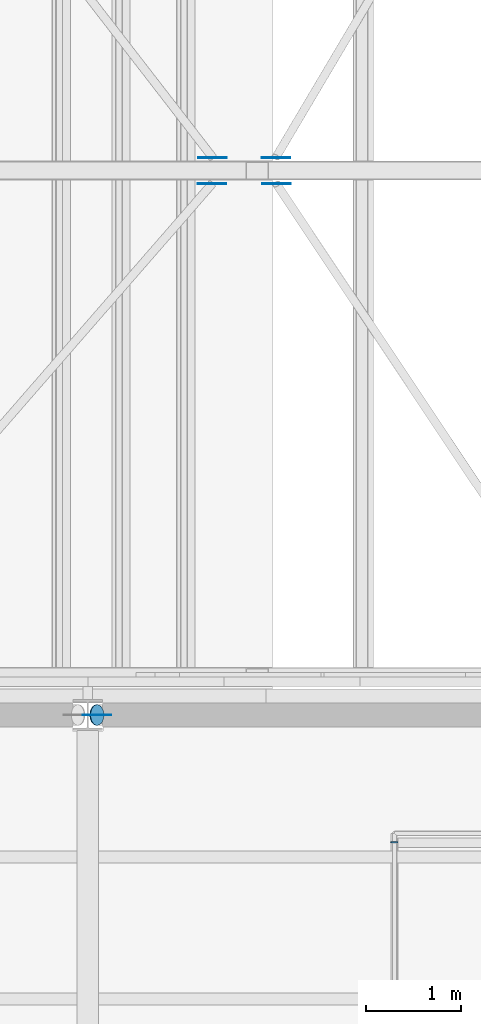
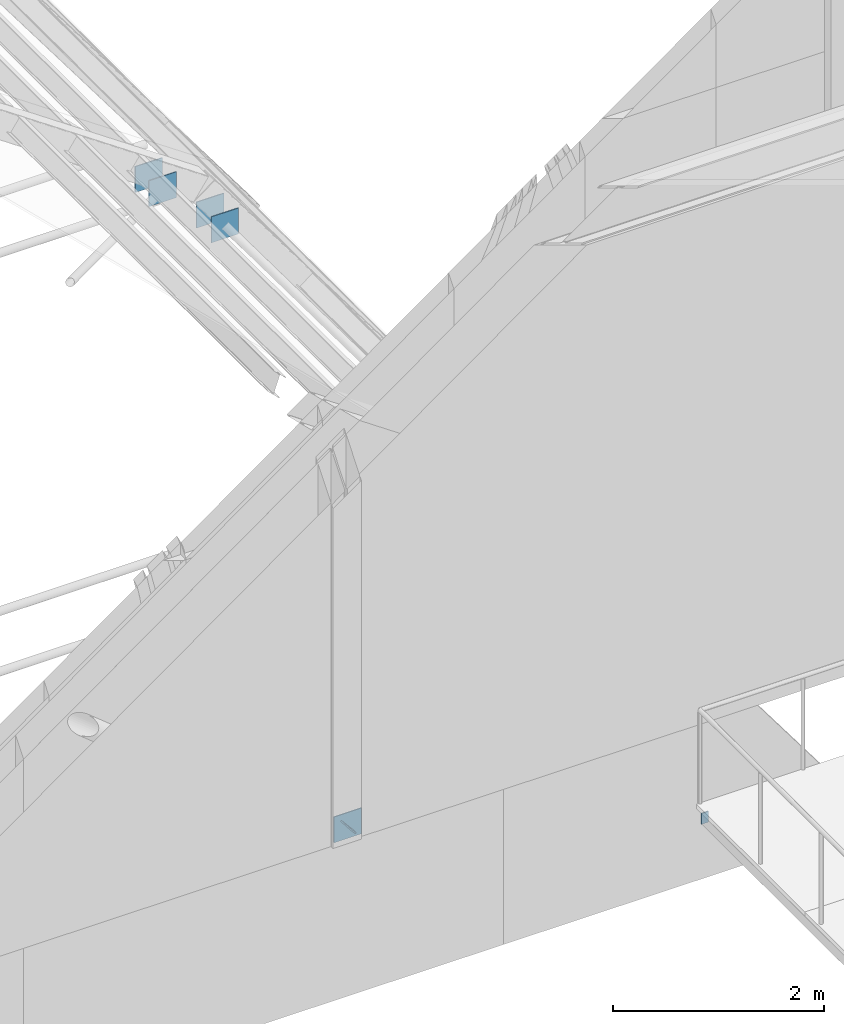
# One storey, part 29 of 43: 7 discrete accessories.
"""IFC4 building model written with IfcOpenShell, lengths in metres."""

from ifc_helpers import new_model, si_unit, direction, frame, origin, origin_2d, place, context, subcontext, project, spatial, rectangle, circle, extrude, material, material_profile, profile_set, type_object, element, save


model = new_model("IFC4")

# Units and contexts
model_context = context("Model", 3, precision=1e-05, world=origin(), true_north=direction((0.0, 1.0)))
body_context = subcontext(model_context, "Body", "Model", "MODEL_VIEW")
ifc_project = project(units=[si_unit("LENGTHUNIT", "METRE"), si_unit("AREAUNIT", "SQUARE_METRE"), si_unit("VOLUMEUNIT", "CUBIC_METRE"), si_unit("PLANEANGLEUNIT", "RADIAN"), si_unit("MASSUNIT", "GRAM", prefix="KILO")], contexts=[model_context])

# Site, building, storey
site_placement = place(None, origin())
site = spatial("IfcSite", under=ifc_project, at=site_placement, CompositionType="ELEMENT")
building_placement = place(site_placement, origin())
building = spatial("IfcBuilding", under=site, at=building_placement, Name="Saffron Lane Theatres", CompositionType="ELEMENT")
storey_placement = place(building_placement, frame((0.0, 0.0, 23.0)))
storey = spatial("IfcBuildingStorey", under=building, at=storey_placement, Name="Roof", CompositionType="ELEMENT", Elevation=23.0)

# Discrete accessories
ifc_material_1 = material(Name="Steel Grade 350", Category="steel")
ifc_material_profile_1 = material_profile(ifc_material_1, rectangle(XDim=0.300048828125, YDim=0.300048828125, at=origin_2d()))
ifc_profile_set_1 = profile_set([ifc_material_profile_1], Name="Steel Grade 350")
discrete_accessory_type_1 = type_object("IfcDiscreteAccessoryType", Name="ST-GUSSET CONNECTION PLATE", PredefinedType="BRACKET", material=ifc_profile_set_1)
for number, where, z_axis, x_axis, name in (
    (1, (43.31103515625, 59.86767578125, 3.62841796875), (0.0, -1.0, 0.0), (1.0, 0.0, 0.0), "GB14"),
    (2, (43.992431640625, 59.866943359375, 2.970703125), (0.0, -1.0, 0.0), (1.0, 0.0, 0.0), "GB15"),
    (3, (43.316650390625, 60.13037109375, 3.62451171875), (0.0, 1.0, 0.0), (-1.0, 0.0, 0.0), "GB30"),
    (4, (43.988037109375, 60.13134765625, 2.976318359375), (0.0, 1.0, 0.0), (-1.0, 0.0, 0.0), "GB31"),
):
    element("IfcDiscreteAccessory", number, at=place(storey_placement, frame(where, z_axis=z_axis, x_axis=x_axis)), inside=storey, type_object=discrete_accessory_type_1, Name=name, PredefinedType="BRACKET", context=body_context, shape_type="SweptSolid", body=[
        extrude(rectangle(XDim=0.300048828125, YDim=0.300048828125, at=origin_2d()), origin(), (0.0, 0.0, 1.0), 0.010009765625),
    ])
discrete_accessory_1_placement = place(storey_placement, frame((42.099365234375, 54.2451171875, 0.083740234375), z_axis=(0.0, 1.0, 0.0), x_axis=(-1.0, 0.0, 0.0)))
element("IfcDiscreteAccessory", 5, at=discrete_accessory_1_placement, inside=storey, type_object=discrete_accessory_type_1, Name="GB133", PredefinedType="BRACKET", context=body_context, shape_type="SweptSolid", body=[
    extrude(rectangle(XDim=0.300048828125, YDim=0.300048828125, at=origin_2d()), origin(), (0.0, 0.0, 1.0), 0.009765625),
])
ifc_material_2 = material(Name="Steel Grade 350", Category="steel")
ifc_material_profile_2 = material_profile(ifc_material_2, rectangle(XDim=0.074951171875, YDim=0.125, at=origin_2d()))
ifc_profile_set_2 = profile_set([ifc_material_profile_2], Name="Steel Grade 350")
discrete_accessory_type_2 = type_object("IfcDiscreteAccessoryType", Name="ST-STEEL END CAP 125x75x5 RHS", PredefinedType="ANCHORPLATE", material=ifc_profile_set_2)
discrete_accessory_2_placement = place(storey_placement, frame((45.237548828125, 52.89990234375, -0.112548828125), z_axis=(0.0, 1.0, 0.0), x_axis=(-1.0, 0.0, 0.0)))
element("IfcDiscreteAccessory", 6, at=discrete_accessory_2_placement, inside=storey, type_object=discrete_accessory_type_2, Name="EC606", PredefinedType="ANCHORPLATE", context=body_context, shape_type="SweptSolid", body=[
    extrude(rectangle(XDim=0.074951171875, YDim=0.125, at=origin_2d()), origin(), (0.0, 0.0, 1.0), 0.01220703125),
])
ifc_material_3 = material(Name="Steel Grade 350", Category="steel")
ifc_material_profile_3 = material_profile(ifc_material_3, circle(Radius=0.109619140625, at=origin_2d()))
ifc_profile_set_3 = profile_set([ifc_material_profile_3], Name="Steel Grade 350")
discrete_accessory_type_3 = type_object("IfcDiscreteAccessoryType", Name="ST-STEEL END CAP 219.1x8.2 CHS", PredefinedType="ANCHORPLATE", material=ifc_profile_set_3)
discrete_accessory_3_placement = place(storey_placement, frame((42.090087890625, 54.25, 0.075927734375), z_axis=(0.764911198117, 0.0, 0.644135745783), x_axis=(0.0, 1.0, 0.0)))
element("IfcDiscreteAccessory", 7, at=discrete_accessory_3_placement, inside=storey, type_object=discrete_accessory_type_3, Name="EC79", PredefinedType="ANCHORPLATE", context=body_context, shape_type="SweptSolid", body=[
    extrude(circle(Radius=0.109619140625, at=origin_2d()), origin(), (0.0, 0.0, 1.0), 0.01220703125),
])

save(model, "model.ifc")
